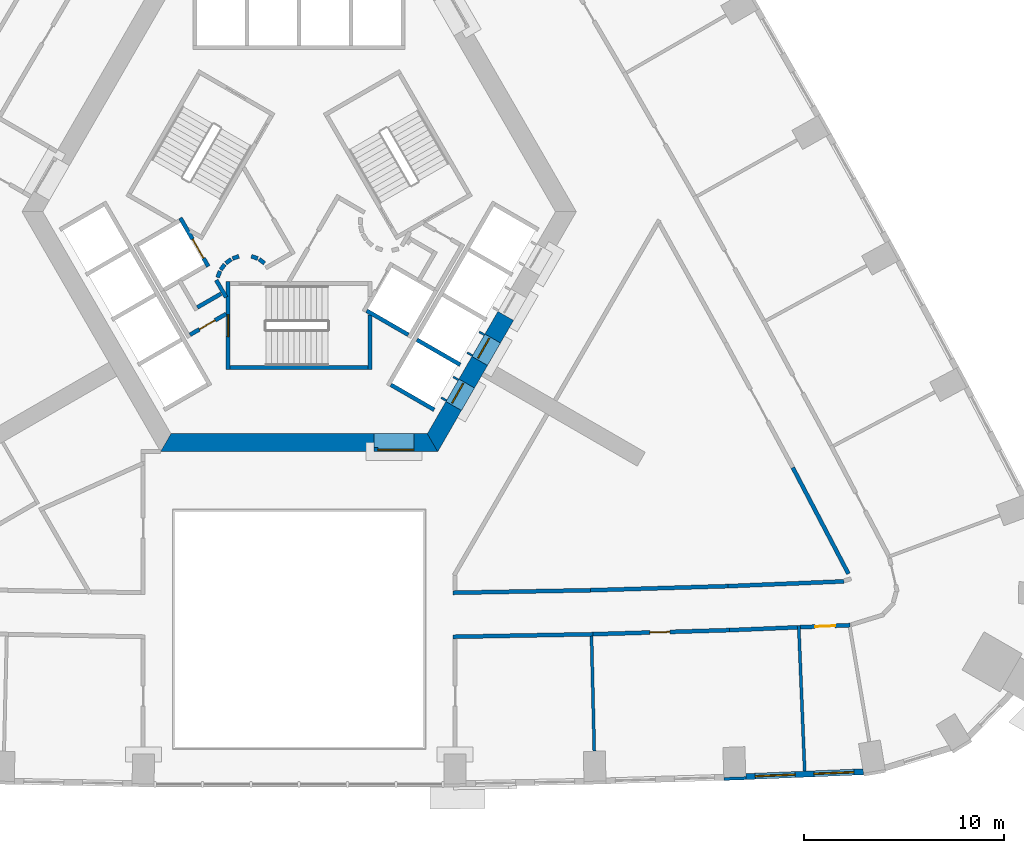
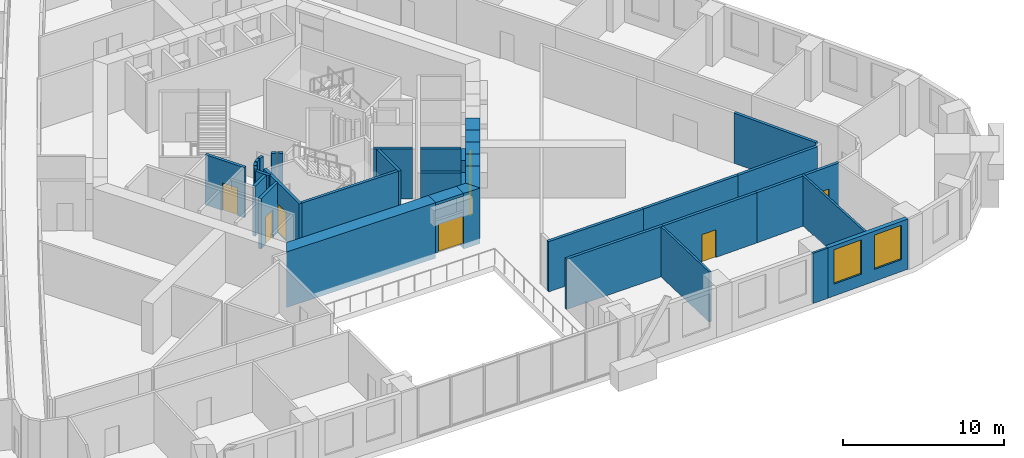
# One storey, part 6 of 16: 39 walls, 8 doors, 2 windows, 10 openings.
"""IFC4 building model written with IfcOpenShell, lengths in metres."""

from ifc_helpers import new_model, si_unit, direction, frame, frame_2d, origin, place, context, subcontext, project, spatial, polyline, rectangle, outline, extrude, material, layer, layer_set, type_object, element, fill, save


model = new_model("IFC4")

# Units and contexts
model_context = context("Model", 3, precision=1e-05, world=origin(), true_north=direction((0.0, 1.0)))
body_context = subcontext(model_context, "Body", "Model", "MODEL_VIEW")
ifc_project = project(units=[si_unit("LENGTHUNIT", "METRE"), si_unit("AREAUNIT", "SQUARE_METRE"), si_unit("VOLUMEUNIT", "CUBIC_METRE"), si_unit("PLANEANGLEUNIT", "RADIAN"), si_unit("MASSUNIT", "GRAM", prefix="KILO")], contexts=[model_context])

# Site, building, storey
site_placement = place(None, origin())
site = spatial("IfcSite", under=ifc_project, at=site_placement, CompositionType="ELEMENT")
building_placement = place(site_placement, origin())
building = spatial("IfcBuilding", under=site, at=building_placement, Name="Entoto Arch Interchange Tower", CompositionType="ELEMENT")
storey_placement = place(building_placement, frame((0.0, 0.0, 95.0)))
storey = spatial("IfcBuildingStorey", under=building, at=storey_placement, Name="L20", CompositionType="ELEMENT", Elevation=95.0)

# Wall, opening, door
ifc_material_1 = material(Name="Reinforced concrete C40/50", Category="concrete")
ifc_layer_1 = layer(ifc_material_1, 0.199951171875)
ifc_layer_set_1 = layer_set([ifc_layer_1], Name="Reinforced concrete C40/50")
wall_type_1 = type_object("IfcWallType", Name="CORE GAP INFILL WALL", PredefinedType="PARTITIONING", material=ifc_layer_set_1)
wall_1_placement = place(storey_placement, frame((3.75, -9.39990234375, 0.0), z_axis=(0.0, 0.0, 1.0), x_axis=(1.0, 0.0, 0.0)))
wall_1 = element("IfcWall", 1, at=wall_1_placement, inside=storey, type_object=wall_type_1, Name="wall:L20:gap1", PredefinedType="PARTITIONING", context=body_context, shape_type="SweptSolid", body=[
    extrude(rectangle(XDim=2.0, YDim=0.199951171875, at=frame_2d((1.0, 0.0))), origin(), (0.0, 0.0, 1.0), 2.39990234375),
])
opening_1_placement = place(wall_1_placement, frame((0.18994140625, 0.0, 0.0)))
opening_1 = element("IfcOpeningElement", 2, at=opening_1_placement, cuts=wall_1, Name="Opening L20-D91", PredefinedType="OPENING", context=body_context, shape_type="SweptSolid", body=[
    extrude(rectangle(XDim=1.800048828125, YDim=2.10009765625, at=frame_2d((0.89990234375, 1.050048828125))), frame((0.0, 0.10986328125, 0.0), z_axis=(0.0, -1.0, 0.0), x_axis=(1.0, 0.0, 0.0)), (0.0, 0.0, 1.0), 0.219970703125),
])
ifc_material_2 = material(Name="Fire-rated Steel S235 door and frame", Category="steel")
door_type_1 = type_object("IfcDoorType", Name="DOOR FD-18 1800x2100", OperationType="DOUBLE_DOOR_SINGLE_SWING", PredefinedType="DOOR", material=ifc_material_2)
door_1_placement = place(opening_1_placement, origin())
door_1 = element("IfcDoor", 3, at=door_1_placement, inside=storey, type_object=door_type_1, Name="door:L20:gap1", OperationType="DOUBLE_DOOR_SINGLE_SWING", OverallHeight=2.10009765625, OverallWidth=1.800048828125, PredefinedType="DOOR", context=body_context, shape_type="SweptSolid", body=[
    extrude(rectangle(XDim=1.800048828125, YDim=2.10009765625, at=frame_2d((0.89990234375, 1.050048828125))), frame((0.0, 0.02490234375, 0.0), z_axis=(0.0, -1.0, 0.0), x_axis=(1.0, 0.0, 0.0)), (0.0, 0.0, 1.0), 0.050048828125),
])
fill(opening_1, door_1)

# Walls
ifc_material_3 = material(Name="Concrete C60/75", Category="concrete")
ifc_layer_2 = layer(ifc_material_3, 0.89990234375)
ifc_layer_set_2 = layer_set([ifc_layer_2], Name="Concrete C60/75")
wall_type_2 = type_object("IfcWallType", Name="Core wall 900 C60/75", PredefinedType="SHEAR", material=ifc_layer_set_2)
wall_2_placement = place(storey_placement, frame((0.0, 0.0, -0.39990234375)))
element("IfcWall", 4, at=wall_2_placement, inside=storey, type_object=wall_type_2, Name="Core wall S L20", PredefinedType="SHEAR", context=body_context, shape_type="SweptSolid", body=[
    extrude(outline(polyline([(3.75, -9.5), (3.75, -8.60009765625), (-6.408935546875, -8.60009765625), (-6.927978515625, -9.5), (3.75, -9.5)])), origin(), (0.0, 0.0, 1.0), 4.199951171875),
])
wall_3_placement = place(storey_placement, frame((0.0, 0.0, -0.39990234375)))
element("IfcWall", 5, at=wall_3_placement, inside=storey, type_object=wall_type_2, Name="Core wall S L20", PredefinedType="SHEAR", context=body_context, shape_type="SweptSolid", body=[
    extrude(outline(polyline([(5.75, -8.60009765625), (5.75, -9.5), (6.927978515625, -9.5), (6.408935546875, -8.60009765625), (5.75, -8.60009765625)])), origin(), (0.0, 0.0, 1.0), 4.199951171875),
])
wall_4_placement = place(storey_placement, frame((0.0, 0.0, 3.60009765625)))
element("IfcWall", 6, at=wall_4_placement, inside=storey, type_object=wall_type_2, Name="Core wall lintel S L20", PredefinedType="SHEAR", context=body_context, shape_type="SweptSolid", body=[
    extrude(outline(polyline([(5.75, -9.5), (5.75, -8.60009765625), (3.75, -8.60009765625), (3.75, -9.5), (5.75, -9.5)])), origin(), (0.0, 0.0, 1.0), 0.199951171875),
])
wall_5_placement = place(storey_placement, frame((0.0, 0.0, -0.39990234375)))
element("IfcWall", 7, at=wall_5_placement, inside=storey, type_object=wall_type_2, Name="Core wall SE L20", PredefinedType="SHEAR", context=body_context, shape_type="SweptSolid", body=[
    extrude(outline(polyline([(8.116943359375, -7.43994140625), (7.337890625, -6.989990234375), (6.408935546875, -8.60009765625), (6.927978515625, -9.5), (8.116943359375, -7.43994140625)])), origin(), (0.0, 0.0, 1.0), 4.199951171875),
])
wall_6_placement = place(storey_placement, frame((0.0, 0.0, -0.39990234375)))
element("IfcWall", 8, at=wall_6_placement, inside=storey, type_object=wall_type_2, Name="Core wall SE L20", PredefinedType="SHEAR", context=body_context, shape_type="SweptSolid", body=[
    extrude(outline(polyline([(9.4169921875, -5.18896484375), (8.637939453125, -4.739013671875), (7.988037109375, -5.864013671875), (8.76708984375, -6.31396484375), (9.4169921875, -5.18896484375)])), origin(), (0.0, 0.0, 1.0), 4.199951171875),
])
wall_7_placement = place(storey_placement, frame((0.0, 0.0, -0.39990234375)))
element("IfcWall", 9, at=wall_7_placement, inside=storey, type_object=wall_type_2, Name="Core wall SE L20", PredefinedType="SHEAR", context=body_context, shape_type="SweptSolid", body=[
    extrude(outline(polyline([(10.717041015625, -2.93701171875), (9.93798828125, -2.487060546875), (9.2880859375, -3.613037109375), (10.06689453125, -4.06298828125), (10.717041015625, -2.93701171875)])), origin(), (0.0, 0.0, 1.0), 4.199951171875),
])
wall_8_placement = place(storey_placement, frame((0.0, 0.0, 3.60009765625)))
element("IfcWall", 10, at=wall_8_placement, inside=storey, type_object=wall_type_2, Name="Core wall lintel SE L20", PredefinedType="SHEAR", context=body_context, shape_type="SweptSolid", body=[
    extrude(outline(polyline([(8.76708984375, -6.31396484375), (7.988037109375, -5.864013671875), (7.337890625, -6.989990234375), (8.116943359375, -7.43994140625), (8.76708984375, -6.31396484375)])), origin(), (0.0, 0.0, 1.0), 0.199951171875),
])
wall_9_placement = place(storey_placement, frame((0.0, 0.0, 3.60009765625)))
element("IfcWall", 11, at=wall_9_placement, inside=storey, type_object=wall_type_2, Name="Core wall lintel SE L20", PredefinedType="SHEAR", context=body_context, shape_type="SweptSolid", body=[
    extrude(outline(polyline([(10.06689453125, -4.06298828125), (9.2880859375, -3.613037109375), (8.637939453125, -4.739013671875), (9.4169921875, -5.18896484375), (10.06689453125, -4.06298828125)])), origin(), (0.0, 0.0, 1.0), 0.199951171875),
])

# Wall, opening, door
ifc_material_4 = material(Name="Concrete C40/50", Category="concrete")
ifc_layer_3 = layer(ifc_material_4, 1.199951171875)
ifc_layer_set_3 = layer_set([ifc_layer_3], Name="Concrete C40/50")
wall_type_3 = type_object("IfcWallType", Name="LIFT LANDING INFILL WALL", PredefinedType="STANDARD", material=ifc_layer_set_3)
wall_10_placement = place(storey_placement, frame((7.597900390625, -7.139892578125, 0.0), z_axis=(0.0, 0.0, 1.0), x_axis=(0.500362116554, 0.865816234728, 0.0)))
wall_10 = element("IfcWall", 12, at=wall_10_placement, inside=storey, type_object=wall_type_3, Name="Lift landing infill wall LR5 L20", PredefinedType="STANDARD", context=body_context, shape_type="SweptSolid", body=[
    extrude(rectangle(XDim=1.29931640625, YDim=1.199951171875, at=frame_2d((0.649658203125, 0.0))), origin(), (0.0, 0.0, 1.0), 2.39990234375),
])
opening_2_placement = place(wall_10_placement, frame((0.10009765625, 0.0, 0.0)))
opening_2 = element("IfcOpeningElement", 13, at=opening_2_placement, cuts=wall_10, Name="Opening LD-LR5-L20", PredefinedType="OPENING", context=body_context, shape_type="SweptSolid", body=[
    extrude(rectangle(XDim=1.10009765625, YDim=2.300048828125, at=frame_2d((0.550048828125, 1.14990234375))), frame((0.0, 0.60986328125, 0.0), z_axis=(0.0, -1.0, 0.0), x_axis=(1.0, 0.0, 0.0)), (0.0, 0.0, 1.0), 1.219970703125),
])
ifc_material_5 = material(Name="Stainless steel 1.4301 panels", Category="steel")
door_type_2 = type_object("IfcDoorType", Name="LIFT LANDING DOOR LD2 1100x2300", OperationType="SLIDING_TO_LEFT", PredefinedType="DOOR", material=ifc_material_5)
door_2_placement = place(opening_2_placement, origin())
door_2 = element("IfcDoor", 14, at=door_2_placement, inside=storey, type_object=door_type_2, Name="Lift landing door LR5 L20", OperationType="SLIDING_TO_LEFT", OverallHeight=2.300048828125, OverallWidth=1.10009765625, PredefinedType="DOOR", context=body_context, shape_type="SweptSolid", body=[
    extrude(rectangle(XDim=1.10009765625, YDim=2.300048828125, at=frame_2d((0.550048828125, 1.14990234375))), frame((0.0, 0.02490234375, 0.0), z_axis=(0.0, -1.0, 0.0), x_axis=(1.0, 0.0, 0.0)), (0.0, 0.0, 1.0), 0.050048828125),
])
fill(opening_2, door_2)

wall_11_placement = place(storey_placement, frame((8.89794921875, -4.888916015625, 0.0), z_axis=(0.0, 0.0, 1.0), x_axis=(0.500036693733, 0.866004217611, 0.0)))
wall_11 = element("IfcWall", 15, at=wall_11_placement, inside=storey, type_object=wall_type_3, Name="Lift landing infill wall LR6 L20", PredefinedType="STANDARD", context=body_context, shape_type="SweptSolid", body=[
    extrude(rectangle(XDim=1.30029296875, YDim=1.199951171875, at=frame_2d((0.650146484375, 0.0))), origin(), (0.0, 0.0, 1.0), 2.39990234375),
])
opening_3_placement = place(wall_11_placement, frame((0.10009765625, 0.0, 0.0)))
opening_3 = element("IfcOpeningElement", 16, at=opening_3_placement, cuts=wall_11, Name="Opening LD-LR6-L20", PredefinedType="OPENING", context=body_context, shape_type="SweptSolid", body=[
    extrude(rectangle(XDim=1.10009765625, YDim=2.300048828125, at=frame_2d((0.550048828125, 1.14990234375))), frame((0.0, 0.60986328125, 0.0), z_axis=(0.0, -1.0, 0.0), x_axis=(1.0, 0.0, 0.0)), (0.0, 0.0, 1.0), 1.219970703125),
])
door_3_placement = place(opening_3_placement, origin())
door_3 = element("IfcDoor", 17, at=door_3_placement, inside=storey, type_object=door_type_2, Name="Lift landing door LR6 L20", OperationType="SLIDING_TO_LEFT", OverallHeight=2.300048828125, OverallWidth=1.10009765625, PredefinedType="DOOR", context=body_context, shape_type="SweptSolid", body=[
    extrude(rectangle(XDim=1.10009765625, YDim=2.300048828125, at=frame_2d((0.550048828125, 1.14990234375))), frame((0.0, 0.02490234375, 0.0), z_axis=(0.0, -1.0, 0.0), x_axis=(1.0, 0.0, 0.0)), (0.0, 0.0, 1.0), 0.050048828125),
])
fill(opening_3, door_3)

ifc_layer_4 = layer(ifc_material_4, 0.199951171875)
ifc_layer_set_4 = layer_set([ifc_layer_4], Name="Concrete C40/50")
wall_type_4 = type_object("IfcWallType", Name="LIFT SHAFT WALL 200", PredefinedType="STANDARD", material=ifc_layer_set_4)
wall_12_placement = place(storey_placement, frame((-5.93994140625, 2.18798828125, 0.0), z_axis=(0.0, 0.0, 1.0), x_axis=(0.49994636267, -0.866056369097, 0.0)))
wall_12 = element("IfcWall", 18, at=wall_12_placement, inside=storey, type_object=wall_type_4, Name="Shaft wall SW1 front", PredefinedType="STANDARD", context=body_context, shape_type="SweptSolid", body=[
    extrude(rectangle(XDim=2.800048828125, YDim=0.199951171875, at=frame_2d((1.39990234375, 0.0))), origin(), (0.0, 0.0, 1.0), 3.800048828125),
])
opening_4_placement = place(wall_12_placement, frame((1.22509765625, 0.0, 0.0)))
opening_4 = element("IfcOpeningElement", 19, at=opening_4_placement, cuts=wall_12, Name="Opening LD-FF2-L20", PredefinedType="OPENING", context=body_context, shape_type="SweptSolid", body=[
    extrude(rectangle(XDim=1.10009765625, YDim=2.10009765625, at=frame_2d((0.550048828125, 1.050048828125))), frame((0.0, 0.10986328125, 0.0), z_axis=(0.0, -1.0, 0.0), x_axis=(1.0, 0.0, 0.0)), (0.0, 0.0, 1.0), 0.219970703125),
])
door_type_3 = type_object("IfcDoorType", Name="LIFT LANDING DOOR LD1 1100x2100", OperationType="SLIDING_TO_LEFT", PredefinedType="DOOR", material=ifc_material_5)
door_4_placement = place(opening_4_placement, origin())
door_4 = element("IfcDoor", 20, at=door_4_placement, inside=storey, type_object=door_type_3, Name="Lift landing door FF2 L20", OperationType="SLIDING_TO_LEFT", OverallHeight=2.10009765625, OverallWidth=1.10009765625, PredefinedType="DOOR", context=body_context, shape_type="SweptSolid", body=[
    extrude(rectangle(XDim=1.10009765625, YDim=2.10009765625, at=frame_2d((0.550048828125, 1.050048828125))), frame((0.0, 0.02490234375, 0.0), z_axis=(0.0, -1.0, 0.0), x_axis=(1.0, 0.0, 0.0)), (0.0, 0.0, 1.0), 0.050048828125),
])
fill(opening_4, door_4)

# Walls
wall_13_placement = place(storey_placement, frame((3.376953125, -2.451904296875, 0.0), z_axis=(0.0, 0.0, 1.0), x_axis=(0.865955154139, -0.50012165622, 0.0)))
element("IfcWall", 21, at=wall_13_placement, inside=storey, type_object=wall_type_4, Name="Shaft wall SE1 cross 1", PredefinedType="STANDARD", context=body_context, shape_type="SweptSolid", body=[
    extrude(rectangle(XDim=2.39990234375, YDim=0.199951171875, at=frame_2d((1.199951171875, 0.0))), origin(), (0.0, 0.0, 1.0), 3.800048828125),
])
for number, where, z_axis, x_axis, name in (
    (22, (4.587890625, -6.153076171875, 0.0), (0.0, 0.0, 1.0), (0.866022959057, -0.500004234368, 0.0), "Shaft wall SE3 cross 1"),
    (23, (5.887939453125, -3.902099609375, 0.0), (0.0, 0.0, 1.0), (0.866022959057, -0.500004234368, 0.0), "Shaft wall SE3 cross 2"),
):
    element("IfcWall", number, at=place(storey_placement, frame(where, z_axis=z_axis, x_axis=x_axis)), inside=storey, type_object=wall_type_4, Name=name, PredefinedType="STANDARD", context=body_context, shape_type="SweptSolid", body=[
        extrude(rectangle(XDim=2.5, YDim=0.199951171875, at=frame_2d((1.25, 0.0))), origin(), (0.0, 0.0, 1.0), 3.800048828125),
    ])
ifc_material_6 = material(Name="Gypsum board partition on steel studs", Category="steel")
ifc_layer_5 = layer(ifc_material_6, 0.14990234375)
ifc_layer_set_5 = layer_set([ifc_layer_5], Name="Gypsum board partition on steel studs")
wall_type_5 = type_object("IfcWallType", Name="PARTITION 150", PredefinedType="PARTITIONING", material=ifc_layer_set_5)
wall_14_placement = place(storey_placement, frame((14.616943359375, -18.72412109375, 0.0), z_axis=(0.0, 0.0, 1.0), x_axis=(0.02407553942, -0.999710142192, 0.0)))
element("IfcWall", 24, at=wall_14_placement, inside=storey, type_object=wall_type_5, Name="wall:L20:p111", PredefinedType="PARTITIONING", context=body_context, shape_type="SweptSolid", body=[
    extrude(rectangle(XDim=5.7294921875, YDim=0.14990234375, at=frame_2d((2.86474609375, 0.0))), origin(), (0.0, 0.0, 1.0), 3.800048828125),
])
wall_15_placement = place(storey_placement, frame((24.97509765625, -18.177001953125, 0.0), z_axis=(0.0, 0.0, 1.0), x_axis=(0.040934999913, -0.999161811611, 0.0)))
element("IfcWall", 25, at=wall_15_placement, inside=storey, type_object=wall_type_5, Name="wall:L20:p112", PredefinedType="PARTITIONING", context=body_context, shape_type="SweptSolid", body=[
    extrude(rectangle(XDim=7.300048828125, YDim=0.14990234375, at=frame_2d((3.64990234375, 0.0))), origin(), (0.0, 0.0, 1.0), 3.800048828125),
])
ifc_layer_6 = layer(ifc_material_6, 0.199951171875)
ifc_layer_set_6 = layer_set([ifc_layer_6], Name="Gypsum board partition on steel studs")
wall_type_6 = type_object("IfcWallType", Name="PARTITION 200", PredefinedType="PARTITIONING", material=ifc_layer_set_6)
wall_16_placement = place(storey_placement, frame((7.699951171875, -16.551025390625, 0.0), z_axis=(0.0, 0.0, 1.0), x_axis=(0.999831478914, 0.018357934851, 0.0)))
element("IfcWall", 26, at=wall_16_placement, inside=storey, type_object=wall_type_6, Name="wall:L20:p012", PredefinedType="PARTITIONING", context=body_context, shape_type="SweptSolid", body=[
    extrude(rectangle(XDim=6.8623046875, YDim=0.199951171875, at=frame_2d((3.43115234375, 0.0))), origin(), (0.0, 0.0, 1.0), 3.800048828125),
])
wall_17_placement = place(storey_placement, frame((14.56103515625, -16.425048828125, 0.0), z_axis=(0.0, 0.0, 1.0), x_axis=(0.99955668677, 0.029772973188, 0.0)))
element("IfcWall", 27, at=wall_17_placement, inside=storey, type_object=wall_type_6, Name="wall:L20:p013", PredefinedType="PARTITIONING", context=body_context, shape_type="SweptSolid", body=[
    extrude(rectangle(XDim=6.88818359375, YDim=0.199951171875, at=frame_2d((3.444091796875, 0.0))), origin(), (0.0, 0.0, 1.0), 3.800048828125),
])
wall_18_placement = place(storey_placement, frame((21.446044921875, -16.219970703125, 0.0), z_axis=(0.0, 0.0, 1.0), x_axis=(0.999157128819, 0.041049140426, 0.0)))
element("IfcWall", 28, at=wall_18_placement, inside=storey, type_object=wall_type_6, Name="wall:L20:p014", PredefinedType="PARTITIONING", context=body_context, shape_type="SweptSolid", body=[
    extrude(rectangle(XDim=5.798828125, YDim=0.199951171875, at=frame_2d((2.8994140625, 0.0))), origin(), (0.0, 0.0, 1.0), 3.800048828125),
])
wall_19_placement = place(storey_placement, frame((27.4609375, -15.60009765625, 0.0), z_axis=(0.0, 0.0, 1.0), x_axis=(-0.464203280494, 0.885728691179, 0.0)))
element("IfcWall", 29, at=wall_19_placement, inside=storey, type_object=wall_type_6, Name="wall:L20:p016", PredefinedType="PARTITIONING", context=body_context, shape_type="SweptSolid", body=[
    extrude(rectangle(XDim=5.9951171875, YDim=0.199951171875, at=frame_2d((2.99755859375, 0.0))), origin(), (0.0, 0.0, 1.0), 3.800048828125),
])
wall_20_placement = place(storey_placement, frame((14.68896484375, -18.623046875, 0.0), z_axis=(0.0, 0.0, 1.0), x_axis=(-0.99982995049, -0.01844098976, 0.0)))
element("IfcWall", 30, at=wall_20_placement, inside=storey, type_object=wall_type_6, Name="wall:L20:p031", PredefinedType="PARTITIONING", context=body_context, shape_type="SweptSolid", body=[
    extrude(rectangle(XDim=6.990234375, YDim=0.199951171875, at=frame_2d((3.4951171875, 0.0))), origin(), (0.0, 0.0, 1.0), 3.800048828125),
])
wall_21_placement = place(storey_placement, frame((24.904052734375, -18.280029296875, 0.0), z_axis=(0.0, 0.0, 1.0), x_axis=(-0.999156550882, -0.041063205305, 0.0)))
element("IfcWall", 31, at=wall_21_placement, inside=storey, type_object=wall_type_6, Name="wall:L20:p032", PredefinedType="PARTITIONING", context=body_context, shape_type="SweptSolid", body=[
    extrude(rectangle(XDim=3.383056640625, YDim=0.199951171875, at=frame_2d((1.69140625, 0.0))), origin(), (0.0, 0.0, 1.0), 3.800048828125),
])

# Wall, opening, door
wall_22_placement = place(storey_placement, frame((21.52392578125, -18.4189453125, 0.0), z_axis=(0.0, 0.0, 1.0), x_axis=(-0.999558696746, -0.029705416334, 0.0)))
wall_22 = element("IfcWall", 32, at=wall_22_placement, inside=storey, type_object=wall_type_6, Name="wall:L20:p033", PredefinedType="PARTITIONING", context=body_context, shape_type="SweptSolid", body=[
    extrude(rectangle(XDim=6.837890625, YDim=0.199951171875, at=frame_2d((3.4189453125, 0.0))), origin(), (0.0, 0.0, 1.0), 3.800048828125),
])
opening_5_placement = place(wall_22_placement, frame((2.993896484375, 0.0, 0.0)))
opening_5 = element("IfcOpeningElement", 33, at=opening_5_placement, cuts=wall_22, Name="Opening L20-D02", PredefinedType="OPENING", context=body_context, shape_type="SweptSolid", body=[
    extrude(rectangle(XDim=1.0, YDim=2.10009765625, at=frame_2d((0.5, 1.050048828125))), frame((0.0, 0.10986328125, 0.0), z_axis=(0.0, -1.0, 0.0), x_axis=(1.0, 0.0, 0.0)), (0.0, 0.0, 1.0), 0.219970703125),
])
ifc_material_7 = material(Name="Timber door leaf in Steel S235 frame", Category="steel")
door_type_4 = type_object("IfcDoorType", Name="DOOR DS-10 1000x2100", OperationType="SINGLE_SWING_LEFT", PredefinedType="DOOR", material=ifc_material_7)
door_5_placement = place(opening_5_placement, origin())
door_5 = element("IfcDoor", 34, at=door_5_placement, inside=storey, type_object=door_type_4, Name="door:L20:02", OperationType="SINGLE_SWING_LEFT", OverallHeight=2.10009765625, OverallWidth=1.0, PredefinedType="DOOR", context=body_context, shape_type="SweptSolid", body=[
    extrude(rectangle(XDim=1.0, YDim=2.10009765625, at=frame_2d((0.5, 1.050048828125))), frame((0.0, 0.02490234375, 0.0), z_axis=(0.0, -1.0, 0.0), x_axis=(1.0, 0.0, 0.0)), (0.0, 0.0, 1.0), 0.050048828125),
])
fill(opening_5, door_5)

wall_23_placement = place(storey_placement, frame((27.5380859375, -18.172119140625, 0.0), z_axis=(0.0, 0.0, 1.0), x_axis=(-0.999161261417, -0.040948427126, 0.0)))
wall_23 = element("IfcWall", 35, at=wall_23_placement, inside=storey, type_object=wall_type_6, Name="wall:L20:p034", PredefinedType="PARTITIONING", context=body_context, shape_type="SweptSolid", body=[
    extrude(rectangle(XDim=2.486328125, YDim=0.199951171875, at=frame_2d((1.2431640625, 0.0))), origin(), (0.0, 0.0, 1.0), 3.800048828125),
])
opening_6_placement = place(wall_23_placement, frame((0.742919921875, 0.0, 0.0)))
opening_6 = element("IfcOpeningElement", 36, at=opening_6_placement, cuts=wall_23, Name="Opening L20-D03", PredefinedType="OPENING", context=body_context, shape_type="SweptSolid", body=[
    extrude(rectangle(XDim=1.0, YDim=2.10009765625, at=frame_2d((0.5, 1.050048828125))), frame((0.0, 0.10986328125, 0.0), z_axis=(0.0, -1.0, 0.0), x_axis=(1.0, 0.0, 0.0)), (0.0, 0.0, 1.0), 0.219970703125),
])
door_6_placement = place(opening_6_placement, origin())
door_6 = element("IfcDoor", 37, at=door_6_placement, inside=storey, type_object=door_type_4, Name="door:L20:03", OperationType="SINGLE_SWING_LEFT", OverallHeight=2.10009765625, OverallWidth=1.0, PredefinedType="DOOR", context=body_context, shape_type="SweptSolid", body=[
    extrude(rectangle(XDim=1.0, YDim=2.10009765625, at=frame_2d((0.5, 1.050048828125))), frame((0.0, 0.02490234375, 0.0), z_axis=(0.0, -1.0, 0.0), x_axis=(1.0, 0.0, 0.0)), (0.0, 0.0, 1.0), 0.050048828125),
])
fill(opening_6, door_6)

# Wall
wall_24_placement = place(storey_placement, frame((-3.89990234375, -1.59912109375, 0.0), z_axis=(0.0, 0.0, 1.0), x_axis=(-0.865969445389, -0.500096910261, 0.0)))
element("IfcWall", 38, at=wall_24_placement, inside=storey, type_object=wall_type_6, Name="wall:L20:p072", PredefinedType="PARTITIONING", context=body_context, shape_type="SweptSolid", body=[
    extrude(rectangle(XDim=1.373291015625, YDim=0.199951171875, at=frame_2d((0.6865234375, 0.0))), origin(), (0.0, 0.0, 1.0), 3.800048828125),
])

# Wall, opening, door
wall_25_placement = place(storey_placement, frame((-3.64990234375, -2.610107421875, 0.0), z_axis=(0.0, 0.0, 1.0), x_axis=(-0.866072462134, -0.499918483688, 0.0)))
wall_25 = element("IfcWall", 39, at=wall_25_placement, inside=storey, type_object=wall_type_6, Name="wall:L20:p074", PredefinedType="PARTITIONING", context=body_context, shape_type="SweptSolid", body=[
    extrude(rectangle(XDim=2.084228515625, YDim=0.199951171875, at=frame_2d((1.0419921875, 0.0))), origin(), (0.0, 0.0, 1.0), 3.800048828125),
])
opening_7_placement = place(wall_25_placement, frame((0.64208984375, 0.0, 0.0)))
opening_7 = element("IfcOpeningElement", 40, at=opening_7_placement, cuts=wall_25, Name="Opening L20-D35", PredefinedType="OPENING", context=body_context, shape_type="SweptSolid", body=[
    extrude(rectangle(XDim=0.89990234375, YDim=2.10009765625, at=frame_2d((0.449951171875, 1.050048828125))), frame((0.0, 0.10986328125, 0.0), z_axis=(0.0, -1.0, 0.0), x_axis=(1.0, 0.0, 0.0)), (0.0, 0.0, 1.0), 0.219970703125),
])
door_type_5 = type_object("IfcDoorType", Name="DOOR DS-09 900x2100", OperationType="SINGLE_SWING_LEFT", PredefinedType="DOOR", material=ifc_material_7)
door_7_placement = place(opening_7_placement, origin())
door_7 = element("IfcDoor", 41, at=door_7_placement, inside=storey, type_object=door_type_5, Name="door:L20:35", OperationType="SINGLE_SWING_LEFT", OverallHeight=2.10009765625, OverallWidth=0.89990234375, PredefinedType="DOOR", context=body_context, shape_type="SweptSolid", body=[
    extrude(rectangle(XDim=0.89990234375, YDim=2.10009765625, at=frame_2d((0.449951171875, 1.050048828125))), frame((0.0, 0.02490234375, 0.0), z_axis=(0.0, -1.0, 0.0), x_axis=(1.0, 0.0, 0.0)), (0.0, 0.0, 1.0), 0.050048828125),
])
fill(opening_7, door_7)

# Walls
wall_26_placement = place(storey_placement, frame((-4.14501953125, -0.919921875, 0.0), z_axis=(0.0, 0.0, 1.0), x_axis=(0.499743786207, -0.866173278362, 0.0)))
element("IfcWall", 42, at=wall_26_placement, inside=storey, type_object=wall_type_6, Name="wall:L20:p076", PredefinedType="PARTITIONING", context=body_context, shape_type="SweptSolid", body=[
    extrude(rectangle(XDim=0.99072265625, YDim=0.199951171875, at=frame_2d((0.495361328125, 0.0))), origin(), (0.0, 0.0, 1.0), 3.800048828125),
])
wall_27_placement = place(storey_placement, frame((-1.73095703125, -0.076904296875, 0.0), z_axis=(0.0, 0.0, 1.0), x_axis=(-0.804311165252, 0.594208338422, 0.0)))
element("IfcWall", 43, at=wall_27_placement, inside=storey, type_object=wall_type_6, Name="wall:L20:p087", PredefinedType="PARTITIONING", context=body_context, shape_type="SweptSolid", body=[
    extrude(rectangle(XDim=0.338134765625, YDim=0.199951171875, at=frame_2d((0.1689453125, 0.0))), origin(), (0.0, 0.0, 1.0), 3.800048828125),
])
wall_28_placement = place(storey_placement, frame((-2.070068359375, 0.159912109375, 0.0), z_axis=(0.0, 0.0, 1.0), x_axis=(-0.942199461132, 0.335052496547, 0.0)))
element("IfcWall", 44, at=wall_28_placement, inside=storey, type_object=wall_type_6, Name="wall:L20:p088", PredefinedType="PARTITIONING", context=body_context, shape_type="SweptSolid", body=[
    extrude(rectangle(XDim=0.33740234375, YDim=0.199951171875, at=frame_2d((0.168701171875, 0.0))), origin(), (0.0, 0.0, 1.0), 3.800048828125),
])
wall_29_placement = place(storey_placement, frame((-3.011962890625, 0.27294921875, 0.0), z_axis=(0.0, 0.0, 1.0), x_axis=(-0.942280615813, -0.334824194261, 0.0)))
element("IfcWall", 45, at=wall_29_placement, inside=storey, type_object=wall_type_6, Name="wall:L20:p089", PredefinedType="PARTITIONING", context=body_context, shape_type="SweptSolid", body=[
    extrude(rectangle(XDim=0.337646484375, YDim=0.199951171875, at=frame_2d((0.1689453125, 0.0))), origin(), (0.0, 0.0, 1.0), 3.800048828125),
])
wall_30_placement = place(storey_placement, frame((-3.39697265625, 0.1240234375, 0.0), z_axis=(0.0, 0.0, 1.0), x_axis=(-0.804311165252, -0.594208338422, 0.0)))
element("IfcWall", 46, at=wall_30_placement, inside=storey, type_object=wall_type_6, Name="wall:L20:p090", PredefinedType="PARTITIONING", context=body_context, shape_type="SweptSolid", body=[
    extrude(rectangle(XDim=0.338134765625, YDim=0.199951171875, at=frame_2d((0.1689453125, 0.0))), origin(), (0.0, 0.0, 1.0), 3.800048828125),
])
wall_31_placement = place(storey_placement, frame((-3.722900390625, -0.131103515625, 0.0), z_axis=(0.0, 0.0, 1.0), x_axis=(-0.594675113454, -0.803966112121, 0.0)))
element("IfcWall", 47, at=wall_31_placement, inside=storey, type_object=wall_type_6, Name="wall:L20:p091", PredefinedType="PARTITIONING", context=body_context, shape_type="SweptSolid", body=[
    extrude(rectangle(XDim=0.33837890625, YDim=0.199951171875, at=frame_2d((0.169189453125, 0.0))), origin(), (0.0, 0.0, 1.0), 3.800048828125),
])
wall_32_placement = place(storey_placement, frame((-3.9599609375, -0.469970703125, 0.0), z_axis=(0.0, 0.0, 1.0), x_axis=(-0.334824194261, -0.942280615813, 0.0)))
element("IfcWall", 48, at=wall_32_placement, inside=storey, type_object=wall_type_6, Name="wall:L20:p092", PredefinedType="PARTITIONING", context=body_context, shape_type="SweptSolid", body=[
    extrude(rectangle(XDim=0.337646484375, YDim=0.199951171875, at=frame_2d((0.1689453125, 0.0))), origin(), (0.0, 0.0, 1.0), 3.800048828125),
])

# Wall, opening, door
ifc_layer_7 = layer(ifc_material_4, 0.199951171875)
ifc_layer_set_7 = layer_set([ifc_layer_7], Name="Concrete C40/50")
wall_type_7 = type_object("IfcWallType", Name="STAIR ENCLOSURE WALL 200", PredefinedType="STANDARD", material=ifc_layer_set_7)
wall_33_placement = place(storey_placement, frame((-3.550048828125, -1.0, 0.0), z_axis=(0.0, 0.0, 1.0), x_axis=(0.0, -1.0, 0.0)))
wall_33 = element("IfcWall", 49, at=wall_33_placement, inside=storey, type_object=wall_type_7, Name="Stair wall ST-S near", PredefinedType="STANDARD", context=body_context, shape_type="SweptSolid", body=[
    extrude(rectangle(XDim=4.39990234375, YDim=0.199951171875, at=frame_2d((2.199951171875, 0.0))), origin(), (0.0, 0.0, 1.0), 3.800048828125),
])
opening_8_placement = place(wall_33_placement, frame((1.64990234375, 0.0, 0.0)))
opening_8 = element("IfcOpeningElement", 50, at=opening_8_placement, cuts=wall_33, Name="Opening SD-ST-S-L20-E", PredefinedType="OPENING", context=body_context, shape_type="SweptSolid", body=[
    extrude(rectangle(XDim=1.10009765625, YDim=2.199951171875, at=frame_2d((0.550048828125, 1.10009765625))), frame((0.0, 0.10986328125, 0.0), z_axis=(0.0, -1.0, 0.0), x_axis=(1.0, 0.0, 0.0)), (0.0, 0.0, 1.0), 0.219970703125),
])
ifc_material_8 = material(Name="Steel S235", Category="steel")
door_type_6 = type_object("IfcDoorType", Name="STAIR DOOR SD1 1100x2200", OperationType="SINGLE_SWING_LEFT", PredefinedType="DOOR", material=ifc_material_8)
door_8_placement = place(opening_8_placement, origin())
door_8 = element("IfcDoor", 51, at=door_8_placement, inside=storey, type_object=door_type_6, Name="Stair door ST-S L20 end", OperationType="SINGLE_SWING_LEFT", OverallHeight=2.199951171875, OverallWidth=1.10009765625, PredefinedType="DOOR", context=body_context, shape_type="SweptSolid", body=[
    extrude(rectangle(XDim=1.10009765625, YDim=2.199951171875, at=frame_2d((0.550048828125, 1.10009765625))), frame((0.0, 0.02490234375, 0.0), z_axis=(0.0, -1.0, 0.0), x_axis=(1.0, 0.0, 0.0)), (0.0, 0.0, 1.0), 0.050048828125),
])
fill(opening_8, door_8)

# Walls
wall_34_placement = place(storey_placement, frame((3.550048828125, -2.6669921875, 0.0), z_axis=(0.0, 0.0, 1.0), x_axis=(0.0, -1.0, 0.0)))
element("IfcWall", 52, at=wall_34_placement, inside=storey, type_object=wall_type_7, Name="Stair wall ST-S far", PredefinedType="STANDARD", context=body_context, shape_type="SweptSolid", body=[
    extrude(rectangle(XDim=2.73291015625, YDim=0.199951171875, at=frame_2d((1.366455078125, 0.0))), origin(), (0.0, 0.0, 1.0), 3.800048828125),
])
wall_35_placement = place(storey_placement, frame((-3.449951171875, -5.300048828125, 0.0), z_axis=(0.0, 0.0, 1.0), x_axis=(1.0, 0.0, 0.0)))
element("IfcWall", 53, at=wall_35_placement, inside=storey, type_object=wall_type_7, Name="Stair wall ST-S back", PredefinedType="STANDARD", context=body_context, shape_type="SweptSolid", body=[
    extrude(rectangle(XDim=6.89990234375, YDim=0.199951171875, at=frame_2d((3.449951171875, 0.0))), origin(), (0.0, 0.0, 1.0), 3.800048828125),
])

# Wall, openings, windows
ifc_material_9 = material(Name="Welded tuff (ignimbrite) cladding, warm buff", Category="masonry")
ifc_layer_8 = layer(ifc_material_9, 0.300048828125)
ifc_layer_set_8 = layer_set([ifc_layer_8], Name="Welded tuff (ignimbrite) cladding, warm buff")
wall_type_8 = type_object("IfcWallType", Name="STONE INFILL WALL 300", PredefinedType="STANDARD", material=ifc_layer_set_8)
wall_36_placement = place(storey_placement, frame((22.33203125, -25.741943359375, 0.0), z_axis=(0.0, 0.0, 1.0), x_axis=(0.999159360905, 0.040994774244, 0.0)))
wall_36 = element("IfcWall", 54, at=wall_36_placement, inside=storey, type_object=wall_type_8, Name="Facade wall S-07 L20", PredefinedType="STANDARD", context=body_context, shape_type="SweptSolid", body=[
    extrude(rectangle(XDim=5.8779296875, YDim=0.300048828125, at=frame_2d((2.93896484375, 0.0))), origin(), (0.0, 0.0, 1.0), 3.800048828125),
])
opening_9_placement = place(wall_36_placement, frame((0.468994140625, 0.0, 0.89990234375)))
opening_9 = element("IfcOpeningElement", 55, at=opening_9_placement, cuts=wall_36, Name="Opening WO-C", PredefinedType="OPENING", context=body_context, shape_type="SweptSolid", body=[
    extrude(rectangle(XDim=2.0, YDim=2.60009765625, at=frame_2d((1.0, 1.300048828125))), frame((0.0, 0.16015625, 0.0), z_axis=(0.0, -1.0, 0.0), x_axis=(1.0, 0.0, 0.0)), (0.0, 0.0, 1.0), 0.320068359375),
])
opening_10_placement = place(wall_36_placement, frame((3.407958984375, 0.0, 0.89990234375)))
opening_10 = element("IfcOpeningElement", 56, at=opening_10_placement, cuts=wall_36, Name="Opening WO-C", PredefinedType="OPENING", context=body_context, shape_type="SweptSolid", body=[
    extrude(rectangle(XDim=2.0, YDim=2.60009765625, at=frame_2d((1.0, 1.300048828125))), frame((0.0, 0.16015625, 0.0), z_axis=(0.0, -1.0, 0.0), x_axis=(1.0, 0.0, 0.0)), (0.0, 0.0, 1.0), 0.320068359375),
])
ifc_material_10 = material(Name="Clear glass, low-e double glazed", Category="glass")
window_type = type_object("IfcWindowType", Name="WINDOW WO-C 2000x2600", PartitioningType="DOUBLE_PANEL_VERTICAL", PredefinedType="WINDOW", material=ifc_material_10)
window_1_placement = place(opening_9_placement, origin())
window_1 = element("IfcWindow", 57, at=window_1_placement, inside=storey, type_object=window_type, Name="Window WO-C S-07 L20", OverallHeight=2.60009765625, OverallWidth=2.0, PartitioningType="SINGLE_PANEL", PredefinedType="WINDOW", context=body_context, shape_type="SweptSolid", body=[
    extrude(rectangle(XDim=2.0, YDim=2.60009765625, at=frame_2d((1.0, 1.300048828125))), frame((0.0, 0.030029296875, 0.0), z_axis=(0.0, -1.0, 0.0), x_axis=(1.0, 0.0, 0.0)), (0.0, 0.0, 1.0), 0.06005859375),
])
fill(opening_9, window_1)
window_2_placement = place(opening_10_placement, origin())
window_2 = element("IfcWindow", 58, at=window_2_placement, inside=storey, type_object=window_type, Name="Window WO-C S-07 L20", OverallHeight=2.60009765625, OverallWidth=2.0, PartitioningType="SINGLE_PANEL", PredefinedType="WINDOW", context=body_context, shape_type="SweptSolid", body=[
    extrude(rectangle(XDim=2.0, YDim=2.60009765625, at=frame_2d((1.0, 1.300048828125))), frame((0.0, 0.030029296875, 0.0), z_axis=(0.0, -1.0, 0.0), x_axis=(1.0, 0.0, 0.0)), (0.0, 0.0, 1.0), 0.06005859375),
])
fill(opening_10, window_2)

# Wall
ifc_layer_9 = layer(ifc_material_9, 0.14990234375)
ifc_layer_set_9 = layer_set([ifc_layer_9], Name="Welded tuff (ignimbrite) cladding, warm buff")
wall_type_9 = type_object("IfcWallType", Name="STONE PIER CLADDING 150", PredefinedType="STANDARD", material=ifc_layer_set_9)
wall_37_placement = place(storey_placement, frame((21.237060546875, -25.85888671875, 0.0), z_axis=(0.0, 0.0, 1.0), x_axis=(0.999376638472, 0.035303462679, 0.0)))
element("IfcWall", 59, at=wall_37_placement, inside=storey, type_object=wall_type_9, Name="Stone pier S07 L20", PredefinedType="STANDARD", context=body_context, shape_type="SweptSolid", body=[
    extrude(rectangle(XDim=1.099609375, YDim=0.14990234375, at=frame_2d((0.5498046875, 0.0))), origin(), (0.0, 0.0, 1.0), 3.800048828125),
])

save(model, "model.ifc")
